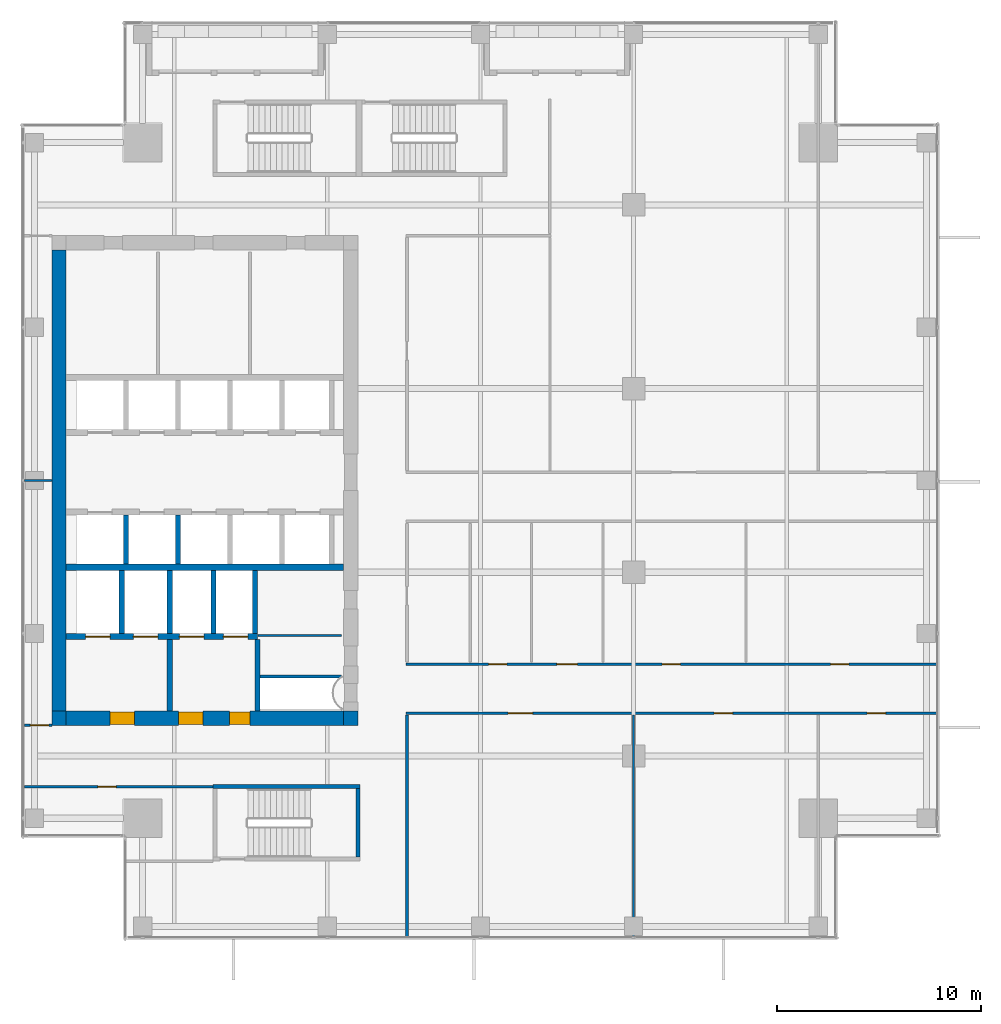
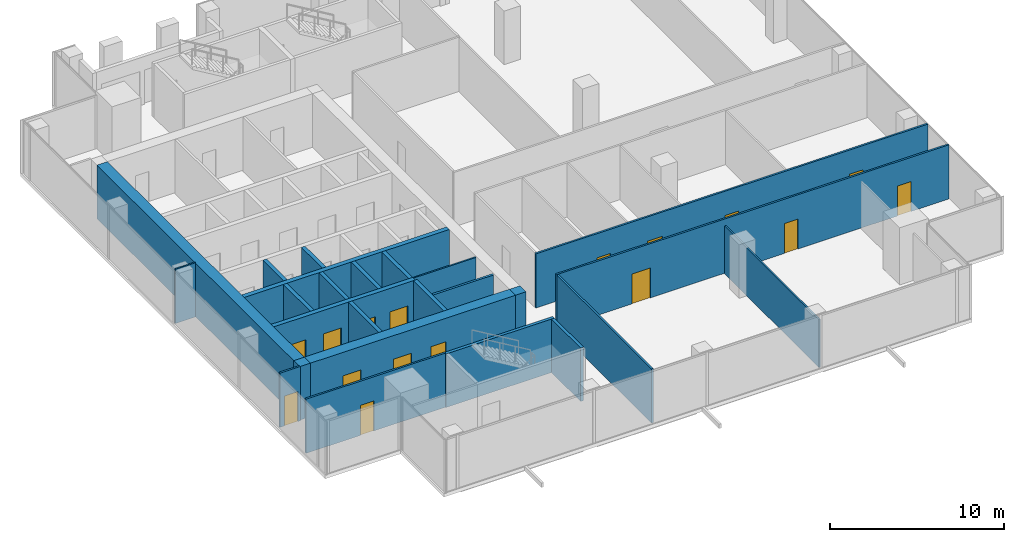
# One storey, part 30 of 34: 25 walls, 16 doors, 16 openings.
"""IFC4 building model written with IfcOpenShell, lengths in metres."""

from ifc_helpers import new_model, si_unit, direction, frame, frame_2d, origin, place, context, subcontext, project, spatial, rectangle, extrude, source, transform, mapped, material, layer, layer_set, type_object, element, fill, save


model = new_model("IFC4")

# Units and contexts
model_context = context("Model", 3, precision=1e-05, world=origin(), true_north=direction((0.0, 1.0)))
body_context = subcontext(model_context, "Body", "Model", "MODEL_VIEW")
ifc_project = project(units=[si_unit("LENGTHUNIT", "METRE"), si_unit("AREAUNIT", "SQUARE_METRE"), si_unit("VOLUMEUNIT", "CUBIC_METRE"), si_unit("PLANEANGLEUNIT", "RADIAN"), si_unit("MASSUNIT", "GRAM", prefix="KILO")], contexts=[model_context])

# Site, building, storey
site_placement = place(None, origin())
site = spatial("IfcSite", under=ifc_project, at=site_placement, CompositionType="ELEMENT")
building_placement = place(site_placement, origin())
building = spatial("IfcBuilding", under=site, at=building_placement, Name="Khomas Fold Tower", CompositionType="ELEMENT")
storey_placement = place(building_placement, frame((0.0, 0.0, 242.199951171875)))
storey = spatial("IfcBuildingStorey", under=building, at=storey_placement, Name="L54", CompositionType="ELEMENT", Elevation=242.199951171875)

# Walls
ifc_material_1 = material(Name="Concrete C50/60", Category="concrete")
ifc_layer_1 = layer(ifc_material_1, 0.199951171875)
ifc_layer_set_1 = layer_set([ifc_layer_1], Name="Concrete C50/60")
wall_type_1 = type_object("IfcWallType", Name="Stair wall 200", PredefinedType="SHEAR", material=ifc_layer_set_1)
shared_shape_1 = source(origin(), body_context, "Body", "SweptSolid", [
    extrude(rectangle(XDim=7.2001953125, YDim=0.199951171875, at=frame_2d((3.60009765625, 0.0))), origin(), (0.0, 0.0, 1.0), 3.75),
])
wall_1_placement = place(storey_placement, frame((13.89990234375, 12.0, 0.0), z_axis=(0.0, 0.0, 1.0), x_axis=(1.0, 0.0, 0.0)))
element("IfcWall", 1, at=wall_1_placement, inside=storey, type_object=wall_type_1, Name="Stair wall SW-ST2-NH", PredefinedType="SHEAR", context=body_context, shape_type="MappedRepresentation", body=[
    mapped(shared_shape_1, transform((0.0, 0.0, 0.0))),
])
shared_shape_2 = source(origin(), body_context, "Body", "SweptSolid", [
    extrude(rectangle(XDim=3.349853515625, YDim=0.199951171875, at=frame_2d((1.6748046875, 0.0))), origin(), (0.0, 0.0, 1.0), 3.75),
])
wall_2_placement = place(storey_placement, frame((21.0, 8.550048828125, 0.0), z_axis=(0.0, 0.0, 1.0), x_axis=(0.0, 1.0, 0.0)))
element("IfcWall", 2, at=wall_2_placement, inside=storey, type_object=wall_type_1, Name="Stair wall SW-ST2-E", PredefinedType="SHEAR", context=body_context, shape_type="MappedRepresentation", body=[
    mapped(shared_shape_2, transform((0.0, 0.0, 0.0))),
])
ifc_material_2 = material(Name="Concrete C50/60", Category="concrete")
ifc_layer_2 = layer(ifc_material_2, 0.25)
ifc_layer_set_2 = layer_set([ifc_layer_2], Name="Concrete C50/60")
wall_type_2 = type_object("IfcWallType", Name="Shaft wall 250", PredefinedType="STANDARD", material=ifc_layer_set_2)
shared_shape_3 = source(origin(), body_context, "Body", "SweptSolid", [
    extrude(rectangle(XDim=3.10009765625, YDim=0.25, at=frame_2d((1.550048828125, 0.0))), origin(), (0.0, 0.0, 1.0), 3.75),
])
for number, where, z_axis, x_axis, name in (
    (3, (9.425048828125, 19.5, 0.0), (0.0, 0.0, 1.0), (0.0, 1.0, 0.0), "Core wall SW-FS-P1"),
    (4, (11.77490234375, 19.5, 0.0), (0.0, 0.0, 1.0), (0.0, 1.0, 0.0), "Core wall SW-FS-P2"),
    (5, (13.925048828125, 19.5, 0.0), (0.0, 0.0, 1.0), (0.0, 1.0, 0.0), "Core wall SW-FS-P3"),
    (6, (15.949951171875, 19.5, 0.0), (0.0, 0.0, 1.0), (0.0, 1.0, 0.0), "Core wall SW-FS-PE"),
):
    element("IfcWall", number, at=place(storey_placement, frame(where, z_axis=z_axis, x_axis=x_axis)), inside=storey, type_object=wall_type_2, Name=name, PredefinedType="STANDARD", context=body_context, shape_type="MappedRepresentation", body=[
        mapped(shared_shape_3, transform((0.0, 0.0, 0.0))),
    ])
shared_shape_4 = source(origin(), body_context, "Body", "SweptSolid", [
    extrude(rectangle(XDim=2.400146484375, YDim=0.25, at=frame_2d((1.2001953125, 0.0))), origin(), (0.0, 0.0, 1.0), 3.75),
])
for number, where, z_axis, x_axis, name in (
    (7, (9.625, 22.89990234375, 0.0), (0.0, 0.0, 1.0), (0.0, 1.0, 0.0), "Core wall SW-HRS-P1"),
    (8, (12.175048828125, 22.89990234375, 0.0), (0.0, 0.0, 1.0), (0.0, 1.0, 0.0), "Core wall SW-HRS-P2"),
):
    element("IfcWall", number, at=place(storey_placement, frame(where, z_axis=z_axis, x_axis=x_axis)), inside=storey, type_object=wall_type_2, Name=name, PredefinedType="STANDARD", context=body_context, shape_type="MappedRepresentation", body=[
        mapped(shared_shape_4, transform((0.0, 0.0, 0.0))),
    ])

# Wall, openings, doors
ifc_material_3 = material(Name="Concrete C60/75", Category="concrete")
ifc_layer_3 = layer(ifc_material_3, 0.699951171875)
ifc_layer_set_3 = layer_set([ifc_layer_3], Name="Concrete C60/75")
wall_type_3 = type_object("IfcWallType", Name="Core wall 700", PredefinedType="SHEAR", material=ifc_layer_set_3)
shared_shape_5 = source(origin(), body_context, "Body", "SweptSolid", [
    extrude(rectangle(XDim=13.60009765625, YDim=0.699951171875, at=frame_2d((6.800048828125, 0.0))), origin(), (0.0, 0.0, 1.0), 3.75),
])
wall_3_placement = place(storey_placement, frame((6.699951171875, 15.35009765625, 0.0), z_axis=(0.0, 0.0, 1.0), x_axis=(1.0, 0.0, 0.0)))
wall_3 = element("IfcWall", 9, at=wall_3_placement, inside=storey, type_object=wall_type_3, Name="Core wall CW-U-S-L49", PredefinedType="SHEAR", context=body_context, shape_type="MappedRepresentation", body=[
    mapped(shared_shape_5, transform((0.0, 0.0, 0.0))),
])
shared_shape_6 = source(origin(), body_context, "Body", "SweptSolid", [
    extrude(rectangle(XDim=1.199951171875, YDim=2.10009765625, at=frame_2d((0.60009765625, 1.050048828125))), frame((0.0, 0.35986328125, 0.0), z_axis=(0.0, -1.0, 0.0), x_axis=(1.0, 0.0, 0.0)), (0.0, 0.0, 1.0), 0.719970703125),
])
opening_1_placement = place(wall_3_placement, frame((5.5, 0.0, 0.0)))
opening_1 = element("IfcOpeningElement", 10, at=opening_1_placement, cuts=wall_3, Name="Opening 0009", PredefinedType="OPENING", context=body_context, shape_type="MappedRepresentation", body=[
    mapped(shared_shape_6, transform((0.0, 0.0, 0.0))),
])
opening_2_placement = place(wall_3_placement, frame((2.14990234375, 0.0, 0.0)))
opening_2 = element("IfcOpeningElement", 11, at=opening_2_placement, cuts=wall_3, Name="Opening 0009", PredefinedType="OPENING", context=body_context, shape_type="MappedRepresentation", body=[
    mapped(shared_shape_6, transform((0.0, 0.0, 0.0))),
])
shared_shape_7 = source(origin(), body_context, "Body", "SweptSolid", [
    extrude(rectangle(XDim=1.0, YDim=2.10009765625, at=frame_2d((0.5, 1.050048828125))), frame((0.0, 0.35986328125, 0.0), z_axis=(0.0, -1.0, 0.0), x_axis=(1.0, 0.0, 0.0)), (0.0, 0.0, 1.0), 0.719970703125),
])
opening_3_placement = place(wall_3_placement, frame((8.0, 0.0, 0.0)))
opening_3 = element("IfcOpeningElement", 12, at=opening_3_placement, cuts=wall_3, Name="Opening 0010", PredefinedType="OPENING", context=body_context, shape_type="MappedRepresentation", body=[
    mapped(shared_shape_7, transform((0.0, 0.0, 0.0))),
])
ifc_material_4 = material(Name="Steel door leaf", Category="steel")
door_type_1 = type_object("IfcDoorType", Name="Lobby door 1200x2100 right-hand", OperationType="SINGLE_SWING_RIGHT", PredefinedType="DOOR", material=ifc_material_4)
shared_shape_8 = source(origin(), body_context, "Body", "SweptSolid", [
    extrude(rectangle(XDim=1.199951171875, YDim=2.10009765625, at=frame_2d((0.60009765625, 1.050048828125))), frame((0.0, 0.2998046875, 0.0), z_axis=(0.0, -1.0, 0.0), x_axis=(1.0, 0.0, 0.0)), (0.0, 0.0, 1.0), 0.599853515625),
])
door_1_placement = place(opening_1_placement, origin())
door_1 = element("IfcDoor", 13, at=door_1_placement, inside=storey, type_object=door_type_1, Name="Lobby door", OperationType="SINGLE_SWING_RIGHT", OverallHeight=2.10009765625, OverallWidth=1.199951171875, PredefinedType="DOOR", context=body_context, shape_type="MappedRepresentation", body=[
    mapped(shared_shape_8, transform((0.0, 0.0, 0.0))),
])
fill(opening_1, door_1)
door_2_placement = place(opening_2_placement, origin())
door_2 = element("IfcDoor", 14, at=door_2_placement, inside=storey, type_object=door_type_1, Name="Lobby door", OperationType="SINGLE_SWING_RIGHT", OverallHeight=2.10009765625, OverallWidth=1.199951171875, PredefinedType="DOOR", context=body_context, shape_type="MappedRepresentation", body=[
    mapped(shared_shape_8, transform((0.0, 0.0, 0.0))),
])
fill(opening_2, door_2)
ifc_material_5 = material(Name="Steel door leaf", Category="steel")
door_type_2 = type_object("IfcDoorType", Name="Stair door 1000x2100 right-hand", OperationType="SINGLE_SWING_RIGHT", PredefinedType="DOOR", material=ifc_material_5)
shared_shape_9 = source(origin(), body_context, "Body", "SweptSolid", [
    extrude(rectangle(XDim=1.0, YDim=2.10009765625, at=frame_2d((0.5, 1.050048828125))), frame((0.0, 0.2998046875, 0.0), z_axis=(0.0, -1.0, 0.0), x_axis=(1.0, 0.0, 0.0)), (0.0, 0.0, 1.0), 0.599853515625),
])
door_3_placement = place(opening_3_placement, origin())
door_3 = element("IfcDoor", 15, at=door_3_placement, inside=storey, type_object=door_type_2, Name="Stair door", OperationType="SINGLE_SWING_RIGHT", OverallHeight=2.10009765625, OverallWidth=1.0, PredefinedType="DOOR", context=body_context, shape_type="MappedRepresentation", body=[
    mapped(shared_shape_9, transform((0.0, 0.0, 0.0))),
])
fill(opening_3, door_3)

# Walls
ifc_material_6 = material(Name="Concrete C60/75", Category="concrete")
ifc_layer_4 = layer(ifc_material_6, 0.699951171875)
ifc_layer_set_4 = layer_set([ifc_layer_4], Name="Concrete C60/75")
wall_type_4 = type_object("IfcWallType", Name="Core corner wall 700", PredefinedType="SHEAR", material=ifc_layer_set_4)
shared_shape_10 = source(origin(), body_context, "Body", "SweptSolid", [
    extrude(rectangle(XDim=0.699951171875, YDim=0.699951171875, at=frame_2d((0.35009765625, 0.0))), origin(), (0.0, 0.0, 1.0), 3.75),
])
for number, where, z_axis, x_axis, name in (
    (16, (20.300048828125, 15.35009765625, 0.0), (0.0, 0.0, 1.0), (1.0, 0.0, 0.0), "Core wall CW-U-SE-L49"),
    (17, (6.0, 15.35009765625, 0.0), (0.0, 0.0, 1.0), (1.0, 0.0, 0.0), "Core wall CW-U-SW-L49"),
):
    element("IfcWall", number, at=place(storey_placement, frame(where, z_axis=z_axis, x_axis=x_axis)), inside=storey, type_object=wall_type_4, Name=name, PredefinedType="SHEAR", context=body_context, shape_type="MappedRepresentation", body=[
        mapped(shared_shape_10, transform((0.0, 0.0, 0.0))),
    ])
shared_shape_11 = source(origin(), body_context, "Body", "SweptSolid", [
    extrude(rectangle(XDim=22.60009765625, YDim=0.699951171875, at=frame_2d((11.300048828125, 0.0))), origin(), (0.0, 0.0, 1.0), 3.75),
])
wall_4_placement = place(storey_placement, frame((6.35009765625, 15.699951171875, 0.0), z_axis=(0.0, 0.0, 1.0), x_axis=(0.0, 1.0, 0.0)))
element("IfcWall", 18, at=wall_4_placement, inside=storey, type_object=wall_type_3, Name="Core wall CW-U-W-L49", PredefinedType="SHEAR", context=body_context, shape_type="MappedRepresentation", body=[
    mapped(shared_shape_11, transform((0.0, 0.0, 0.0))),
])
ifc_material_7 = material(Name="Concrete C50/60", Category="concrete")
ifc_layer_5 = layer(ifc_material_7, 0.300048828125)
ifc_layer_set_5 = layer_set([ifc_layer_5], Name="Concrete C50/60")
wall_type_5 = type_object("IfcWallType", Name="Shaft wall 300", PredefinedType="STANDARD", material=ifc_layer_set_5)
shared_shape_12 = source(origin(), body_context, "Body", "SweptSolid", [
    extrude(rectangle(XDim=13.60009765625, YDim=0.300048828125, at=frame_2d((6.800048828125, 0.0))), origin(), (0.0, 0.0, 1.0), 3.75),
])
wall_5_placement = place(storey_placement, frame((6.699951171875, 22.75, 0.0), z_axis=(0.0, 0.0, 1.0), x_axis=(1.0, 0.0, 0.0)))
element("IfcWall", 19, at=wall_5_placement, inside=storey, type_object=wall_type_5, Name="Core wall SW-FS-B", PredefinedType="STANDARD", context=body_context, shape_type="MappedRepresentation", body=[
    mapped(shared_shape_12, transform((0.0, 0.0, 0.0))),
])

# Wall, openings, doors
shared_shape_13 = source(origin(), body_context, "Body", "SweptSolid", [
    extrude(rectangle(XDim=9.375, YDim=0.300048828125, at=frame_2d((4.6875, 0.0))), origin(), (0.0, 0.0, 1.0), 3.75),
])
wall_6_placement = place(storey_placement, frame((6.699951171875, 19.35009765625, 0.0), z_axis=(0.0, 0.0, 1.0), x_axis=(1.0, 0.0, 0.0)))
wall_6 = element("IfcWall", 20, at=wall_6_placement, inside=storey, type_object=wall_type_5, Name="Core wall SW-FS-F", PredefinedType="STANDARD", context=body_context, shape_type="MappedRepresentation", body=[
    mapped(shared_shape_13, transform((0.0, 0.0, 0.0))),
])
shared_shape_14 = source(origin(), body_context, "Body", "SweptSolid", [
    extrude(rectangle(XDim=1.199951171875, YDim=2.10009765625, at=frame_2d((0.60009765625, 1.050048828125))), frame((0.0, 0.159912109375, 0.0), z_axis=(0.0, -1.0, 0.0), x_axis=(1.0, 0.0, 0.0)), (0.0, 0.0, 1.0), 0.320068359375),
])
opening_4_placement = place(wall_6_placement, frame((0.949951171875, 0.0, 0.0)))
opening_4 = element("IfcOpeningElement", 21, at=opening_4_placement, cuts=wall_6, Name="Opening LD-SV1", PredefinedType="OPENING", context=body_context, shape_type="MappedRepresentation", body=[
    mapped(shared_shape_14, transform((0.0, 0.0, 0.0))),
])
opening_5_placement = place(wall_6_placement, frame((3.300048828125, 0.0, 0.0)))
opening_5 = element("IfcOpeningElement", 22, at=opening_5_placement, cuts=wall_6, Name="Opening LD-SV2", PredefinedType="OPENING", context=body_context, shape_type="MappedRepresentation", body=[
    mapped(shared_shape_14, transform((0.0, 0.0, 0.0))),
])
opening_6_placement = place(wall_6_placement, frame((5.550048828125, 0.0, 0.0)))
opening_6 = element("IfcOpeningElement", 23, at=opening_6_placement, cuts=wall_6, Name="Opening LD-FF1", PredefinedType="OPENING", context=body_context, shape_type="MappedRepresentation", body=[
    mapped(shared_shape_14, transform((0.0, 0.0, 0.0))),
])
opening_7_placement = place(wall_6_placement, frame((7.699951171875, 0.0, 0.0)))
opening_7 = element("IfcOpeningElement", 24, at=opening_7_placement, cuts=wall_6, Name="Opening LD-FF2", PredefinedType="OPENING", context=body_context, shape_type="MappedRepresentation", body=[
    mapped(shared_shape_14, transform((0.0, 0.0, 0.0))),
])
ifc_material_8 = material(Name="Steel door leaf", Category="steel")
door_type_3 = type_object("IfcDoorType", Name="Landing door 1200x2100", OperationType="DOUBLE_DOOR_SLIDING", PredefinedType="DOOR", material=ifc_material_8)
shared_shape_15 = source(origin(), body_context, "Body", "SweptSolid", [
    extrude(rectangle(XDim=1.199951171875, YDim=2.10009765625, at=frame_2d((0.60009765625, 1.050048828125))), frame((0.0, 0.02490234375, 0.0), z_axis=(0.0, -1.0, 0.0), x_axis=(1.0, 0.0, 0.0)), (0.0, 0.0, 1.0), 0.050048828125),
])
door_4_placement = place(opening_4_placement, origin())
door_4 = element("IfcDoor", 25, at=door_4_placement, inside=storey, type_object=door_type_3, Name="Lift landing door", OperationType="DOUBLE_DOOR_SLIDING", OverallHeight=2.10009765625, OverallWidth=1.199951171875, PredefinedType="DOOR", context=body_context, shape_type="MappedRepresentation", body=[
    mapped(shared_shape_15, transform((0.0, 0.0, 0.0))),
])
fill(opening_4, door_4)
door_5_placement = place(opening_5_placement, origin())
door_5 = element("IfcDoor", 26, at=door_5_placement, inside=storey, type_object=door_type_3, Name="Lift landing door", OperationType="DOUBLE_DOOR_SLIDING", OverallHeight=2.10009765625, OverallWidth=1.199951171875, PredefinedType="DOOR", context=body_context, shape_type="MappedRepresentation", body=[
    mapped(shared_shape_15, transform((0.0, 0.0, 0.0))),
])
fill(opening_5, door_5)
door_6_placement = place(opening_6_placement, origin())
door_6 = element("IfcDoor", 27, at=door_6_placement, inside=storey, type_object=door_type_3, Name="Lift landing door", OperationType="DOUBLE_DOOR_SLIDING", OverallHeight=2.10009765625, OverallWidth=1.199951171875, PredefinedType="DOOR", context=body_context, shape_type="MappedRepresentation", body=[
    mapped(shared_shape_15, transform((0.0, 0.0, 0.0))),
])
fill(opening_6, door_6)
door_7_placement = place(opening_7_placement, origin())
door_7 = element("IfcDoor", 28, at=door_7_placement, inside=storey, type_object=door_type_3, Name="Lift landing door", OperationType="DOUBLE_DOOR_SLIDING", OverallHeight=2.10009765625, OverallWidth=1.199951171875, PredefinedType="DOOR", context=body_context, shape_type="MappedRepresentation", body=[
    mapped(shared_shape_15, transform((0.0, 0.0, 0.0))),
])
fill(opening_7, door_7)

# Walls
ifc_material_9 = material(Name="Concrete C50/60", Category="concrete")
ifc_layer_6 = layer(ifc_material_9, 0.25)
ifc_layer_set_6 = layer_set([ifc_layer_6], Name="Concrete C50/60")
wall_type_6 = type_object("IfcWallType", Name="Lobby wall 250", PredefinedType="STANDARD", material=ifc_layer_set_6)
shared_shape_16 = source(origin(), body_context, "Body", "SweptSolid", [
    extrude(rectangle(XDim=3.5, YDim=0.25, at=frame_2d((1.75, 0.0))), origin(), (0.0, 0.0, 1.0), 3.75),
])
for number, where, z_axis, x_axis, name in (
    (29, (16.074951171875, 15.699951171875, 0.0), (0.0, 0.0, 1.0), (0.0, 1.0, 0.0), "Core wall SW-FS-LOB-E"),
    (30, (11.77490234375, 15.699951171875, 0.0), (0.0, 0.0, 1.0), (0.0, 1.0, 0.0), "Core wall SW-FS-SEP"),
):
    element("IfcWall", number, at=place(storey_placement, frame(where, z_axis=z_axis, x_axis=x_axis)), inside=storey, type_object=wall_type_6, Name=name, PredefinedType="STANDARD", context=body_context, shape_type="MappedRepresentation", body=[
        mapped(shared_shape_16, transform((0.0, 0.0, 0.0))),
    ])
ifc_material_10 = material(Name="Plasterboard fire partition")
ifc_layer_7 = layer(ifc_material_10, 0.14990234375)
ifc_layer_set_7 = layer_set([ifc_layer_7], Name="Plasterboard fire partition")
wall_type_7 = type_object("IfcWallType", Name="Plant room wall PW3 150", PredefinedType="PARTITIONING", material=ifc_layer_set_7)
shared_shape_17 = source(origin(), body_context, "Body", "SweptSolid", [
    extrude(rectangle(XDim=4.0, YDim=0.14990234375, at=frame_2d((2.0, 0.0))), origin(), (0.0, 0.0, 1.0), 3.800048828125),
])
wall_7_placement = place(storey_placement, frame((16.199951171875, 17.39990234375, 0.0), z_axis=(0.0, 0.0, 1.0), x_axis=(1.0, 0.0, 0.0)))
element("IfcWall", 31, at=wall_7_placement, inside=storey, type_object=wall_type_7, Name="Plant room wall", PredefinedType="PARTITIONING", context=body_context, shape_type="MappedRepresentation", body=[
    mapped(shared_shape_17, transform((0.0, 0.0, 0.0))),
])
ifc_material_11 = material(Name="Plasterboard partition")
ifc_layer_8 = layer(ifc_material_11, 0.10009765625)
ifc_layer_set_8 = layer_set([ifc_layer_8], Name="Plasterboard partition")
wall_type_8 = type_object("IfcWallType", Name="Partition PW1 100", PredefinedType="PARTITIONING", material=ifc_layer_set_8)
shared_shape_18 = source(origin(), body_context, "Body", "SweptSolid", [
    extrude(rectangle(XDim=4.099853515625, YDim=0.10009765625, at=frame_2d((2.0498046875, 0.0))), origin(), (0.0, 0.0, 1.0), 3.800048828125),
])
wall_8_placement = place(storey_placement, frame((16.10009765625, 19.39990234375, 0.0), z_axis=(0.0, 0.0, 1.0), x_axis=(1.0, 0.0, 0.0)))
element("IfcWall", 32, at=wall_8_placement, inside=storey, type_object=wall_type_8, Name="Partition", PredefinedType="PARTITIONING", context=body_context, shape_type="MappedRepresentation", body=[
    mapped(shared_shape_18, transform((0.0, 0.0, 0.0))),
])

# Wall, opening, door
ifc_material_12 = material(Name="Plasterboard partition")
ifc_layer_9 = layer(ifc_material_12, 0.125)
ifc_layer_set_9 = layer_set([ifc_layer_9], Name="Plasterboard partition")
wall_type_9 = type_object("IfcWallType", Name="Partition PW2 125", PredefinedType="PARTITIONING", material=ifc_layer_set_9)
shared_shape_19 = source(origin(), body_context, "Body", "SweptSolid", [
    extrude(rectangle(XDim=9.25, YDim=0.125, at=frame_2d((4.625, 0.0))), origin(), (0.0, 0.0, 1.0), 3.800048828125),
])
wall_9_placement = place(storey_placement, frame((4.64990234375, 12.0, 0.0), z_axis=(0.0, 0.0, 1.0), x_axis=(1.0, 0.0, 0.0)))
wall_9 = element("IfcWall", 33, at=wall_9_placement, inside=storey, type_object=wall_type_9, Name="Partition", PredefinedType="PARTITIONING", context=body_context, shape_type="MappedRepresentation", body=[
    mapped(shared_shape_19, transform((0.0, 0.0, 0.0))),
])
shared_shape_20 = source(origin(), body_context, "Body", "SweptSolid", [
    extrude(rectangle(XDim=0.89990234375, YDim=2.10009765625, at=frame_2d((0.449951171875, 1.050048828125))), frame((0.0, 0.072509765625, 0.0), z_axis=(0.0, -1.0, 0.0), x_axis=(1.0, 0.0, 0.0)), (0.0, 0.0, 1.0), 0.14501953125),
])
opening_8_placement = place(wall_9_placement, frame((3.60009765625, 0.0, 0.0)))
opening_8 = element("IfcOpeningElement", 34, at=opening_8_placement, cuts=wall_9, Name="Opening 0007", PredefinedType="OPENING", context=body_context, shape_type="MappedRepresentation", body=[
    mapped(shared_shape_20, transform((0.0, 0.0, 0.0))),
])
ifc_material_13 = material(Name="Timber door leaf", Category="wood")
door_type_4 = type_object("IfcDoorType", Name="Door 900x2100 left-hand", OperationType="SINGLE_SWING_LEFT", PredefinedType="DOOR", material=ifc_material_13)
shared_shape_21 = source(origin(), body_context, "Body", "SweptSolid", [
    extrude(rectangle(XDim=0.89990234375, YDim=2.10009765625, at=frame_2d((0.449951171875, 1.050048828125))), frame((0.0, 0.02490234375, 0.0), z_axis=(0.0, -1.0, 0.0), x_axis=(1.0, 0.0, 0.0)), (0.0, 0.0, 1.0), 0.050048828125),
])
door_8_placement = place(opening_8_placement, origin())
door_8 = element("IfcDoor", 35, at=door_8_placement, inside=storey, type_object=door_type_4, Name="Door", OperationType="SINGLE_SWING_LEFT", OverallHeight=2.10009765625, OverallWidth=0.89990234375, PredefinedType="DOOR", context=body_context, shape_type="MappedRepresentation", body=[
    mapped(shared_shape_21, transform((0.0, 0.0, 0.0))),
])
fill(opening_8, door_8)

# Walls
shared_shape_22 = source(origin(), body_context, "Body", "SweptSolid", [
    extrude(rectangle(XDim=10.85009765625, YDim=0.125, at=frame_2d((5.425048828125, 0.0))), origin(), (0.0, 0.0, 1.0), 3.800048828125),
])
wall_10_placement = place(storey_placement, frame((23.39990234375, 4.64990234375, 0.0), z_axis=(0.0, 0.0, 1.0), x_axis=(0.0, 1.0, 0.0)))
element("IfcWall", 36, at=wall_10_placement, inside=storey, type_object=wall_type_9, Name="Partition", PredefinedType="PARTITIONING", context=body_context, shape_type="MappedRepresentation", body=[
    mapped(shared_shape_22, transform((0.0, 0.0, 0.0))),
])
shared_shape_23 = source(origin(), body_context, "Body", "SweptSolid", [
    extrude(rectangle(XDim=10.85009765625, YDim=0.10009765625, at=frame_2d((5.425048828125, 0.0))), origin(), (0.0, 0.0, 1.0), 3.35009765625),
])
wall_11_placement = place(storey_placement, frame((34.5, 4.64990234375, 0.0), z_axis=(0.0, 0.0, 1.0), x_axis=(0.0, 1.0, 0.0)))
element("IfcWall", 37, at=wall_11_placement, inside=storey, type_object=wall_type_8, Name="Partition", PredefinedType="PARTITIONING", context=body_context, shape_type="MappedRepresentation", body=[
    mapped(shared_shape_23, transform((0.0, 0.0, 0.0))),
])

# Wall, opening, door
shared_shape_24 = source(origin(), body_context, "Body", "SweptSolid", [
    extrude(rectangle(XDim=1.35009765625, YDim=0.125, at=frame_2d((0.675048828125, 0.0))), origin(), (0.0, 0.0, 1.0), 3.800048828125),
])
wall_12_placement = place(storey_placement, frame((4.64990234375, 15.0, 0.0), z_axis=(0.0, 0.0, 1.0), x_axis=(1.0, 0.0, 0.0)))
wall_12 = element("IfcWall", 38, at=wall_12_placement, inside=storey, type_object=wall_type_9, Name="Partition", PredefinedType="PARTITIONING", context=body_context, shape_type="MappedRepresentation", body=[
    mapped(shared_shape_24, transform((0.0, 0.0, 0.0))),
])
opening_9_placement = place(wall_12_placement, frame((0.300048828125, 0.0, 0.0)))
opening_9 = element("IfcOpeningElement", 39, at=opening_9_placement, cuts=wall_12, Name="Opening 0007", PredefinedType="OPENING", context=body_context, shape_type="MappedRepresentation", body=[
    mapped(shared_shape_20, transform((0.0, 0.0, 0.0))),
])
door_9_placement = place(opening_9_placement, origin())
door_9 = element("IfcDoor", 40, at=door_9_placement, inside=storey, type_object=door_type_4, Name="Door", OperationType="SINGLE_SWING_LEFT", OverallHeight=2.10009765625, OverallWidth=0.89990234375, PredefinedType="DOOR", context=body_context, shape_type="MappedRepresentation", body=[
    mapped(shared_shape_21, transform((0.0, 0.0, 0.0))),
])
fill(opening_9, door_9)

# Wall, openings, doors
shared_shape_25 = source(origin(), body_context, "Body", "SweptSolid", [
    extrude(rectangle(XDim=26.0, YDim=0.125, at=frame_2d((13.0, 0.0))), origin(), (0.0, 0.0, 1.0), 3.800048828125),
])
wall_13_placement = place(storey_placement, frame((23.35009765625, 15.60009765625, 0.0), z_axis=(0.0, 0.0, 1.0), x_axis=(1.0, 0.0, 0.0)))
wall_13 = element("IfcWall", 41, at=wall_13_placement, inside=storey, type_object=wall_type_9, Name="Partition", PredefinedType="PARTITIONING", context=body_context, shape_type="MappedRepresentation", body=[
    mapped(shared_shape_25, transform((0.0, 0.0, 0.0))),
])
shared_shape_26 = source(origin(), body_context, "Body", "SweptSolid", [
    extrude(rectangle(XDim=1.199951171875, YDim=2.10009765625, at=frame_2d((0.60009765625, 1.050048828125))), frame((0.0, 0.072509765625, 0.0), z_axis=(0.0, -1.0, 0.0), x_axis=(1.0, 0.0, 0.0)), (0.0, 0.0, 1.0), 0.14501953125),
])
opening_10_placement = place(wall_13_placement, frame((5.0, 0.0, 0.0)))
opening_10 = element("IfcOpeningElement", 42, at=opening_10_placement, cuts=wall_13, Name="Opening 0001", PredefinedType="OPENING", context=body_context, shape_type="MappedRepresentation", body=[
    mapped(shared_shape_26, transform((0.0, 0.0, 0.0))),
])
opening_11_placement = place(wall_13_placement, frame((15.10009765625, 0.0, 0.0)))
opening_11 = element("IfcOpeningElement", 43, at=opening_11_placement, cuts=wall_13, Name="Opening 0007", PredefinedType="OPENING", context=body_context, shape_type="MappedRepresentation", body=[
    mapped(shared_shape_20, transform((0.0, 0.0, 0.0))),
])
opening_12_placement = place(wall_13_placement, frame((22.60009765625, 0.0, 0.0)))
opening_12 = element("IfcOpeningElement", 44, at=opening_12_placement, cuts=wall_13, Name="Opening 0007", PredefinedType="OPENING", context=body_context, shape_type="MappedRepresentation", body=[
    mapped(shared_shape_20, transform((0.0, 0.0, 0.0))),
])
door_10_placement = place(opening_11_placement, origin())
door_10 = element("IfcDoor", 45, at=door_10_placement, inside=storey, type_object=door_type_4, Name="Door", OperationType="SINGLE_SWING_LEFT", OverallHeight=2.10009765625, OverallWidth=0.89990234375, PredefinedType="DOOR", context=body_context, shape_type="MappedRepresentation", body=[
    mapped(shared_shape_21, transform((0.0, 0.0, 0.0))),
])
fill(opening_11, door_10)
door_11_placement = place(opening_12_placement, origin())
door_11 = element("IfcDoor", 46, at=door_11_placement, inside=storey, type_object=door_type_4, Name="Door", OperationType="SINGLE_SWING_LEFT", OverallHeight=2.10009765625, OverallWidth=0.89990234375, PredefinedType="DOOR", context=body_context, shape_type="MappedRepresentation", body=[
    mapped(shared_shape_21, transform((0.0, 0.0, 0.0))),
])
fill(opening_12, door_11)
ifc_material_14 = material(Name="Timber door leaf", Category="wood")
door_type_5 = type_object("IfcDoorType", Name="Door 1200x2100 right-hand", OperationType="SINGLE_SWING_RIGHT", PredefinedType="DOOR", material=ifc_material_14)
door_12_placement = place(opening_10_placement, origin())
door_12 = element("IfcDoor", 47, at=door_12_placement, inside=storey, type_object=door_type_5, Name="Door", OperationType="SINGLE_SWING_RIGHT", OverallHeight=2.10009765625, OverallWidth=1.199951171875, PredefinedType="DOOR", context=body_context, shape_type="MappedRepresentation", body=[
    mapped(shared_shape_15, transform((0.0, 0.0, 0.0))),
])
fill(opening_10, door_12)

wall_14_placement = place(storey_placement, frame((23.35009765625, 18.0, 0.0), z_axis=(0.0, 0.0, 1.0), x_axis=(1.0, 0.0, 0.0)))
wall_14 = element("IfcWall", 48, at=wall_14_placement, inside=storey, type_object=wall_type_9, Name="Partition", PredefinedType="PARTITIONING", context=body_context, shape_type="MappedRepresentation", body=[
    mapped(shared_shape_25, transform((0.0, 0.0, 0.0))),
])
opening_13_placement = place(wall_14_placement, frame((4.050048828125, 0.0, 0.0)))
opening_13 = element("IfcOpeningElement", 49, at=opening_13_placement, cuts=wall_14, Name="Opening 0004", PredefinedType="OPENING", context=body_context, shape_type="MappedRepresentation", body=[
    mapped(shared_shape_20, transform((0.0, 0.0, 0.0))),
])
shared_shape_27 = source(origin(), body_context, "Body", "SweptSolid", [
    extrude(rectangle(XDim=1.0, YDim=2.10009765625, at=frame_2d((0.5, 1.050048828125))), frame((0.0, 0.072509765625, 0.0), z_axis=(0.0, -1.0, 0.0), x_axis=(1.0, 0.0, 0.0)), (0.0, 0.0, 1.0), 0.14501953125),
])
opening_14_placement = place(wall_14_placement, frame((7.39990234375, 0.0, 0.0)))
opening_14 = element("IfcOpeningElement", 50, at=opening_14_placement, cuts=wall_14, Name="Opening 0006", PredefinedType="OPENING", context=body_context, shape_type="MappedRepresentation", body=[
    mapped(shared_shape_27, transform((0.0, 0.0, 0.0))),
])
opening_15_placement = place(wall_14_placement, frame((12.550048828125, 0.0, 0.0)))
opening_15 = element("IfcOpeningElement", 51, at=opening_15_placement, cuts=wall_14, Name="Opening 0008", PredefinedType="OPENING", context=body_context, shape_type="MappedRepresentation", body=[
    mapped(shared_shape_20, transform((0.0, 0.0, 0.0))),
])
opening_16_placement = place(wall_14_placement, frame((20.800048828125, 0.0, 0.0)))
opening_16 = element("IfcOpeningElement", 52, at=opening_16_placement, cuts=wall_14, Name="Opening 0008", PredefinedType="OPENING", context=body_context, shape_type="MappedRepresentation", body=[
    mapped(shared_shape_20, transform((0.0, 0.0, 0.0))),
])
ifc_material_15 = material(Name="Timber door leaf", Category="wood")
door_type_6 = type_object("IfcDoorType", Name="WC door 900x2100 right-hand", OperationType="SINGLE_SWING_RIGHT", PredefinedType="DOOR", material=ifc_material_15)
door_13_placement = place(opening_13_placement, origin())
door_13 = element("IfcDoor", 53, at=door_13_placement, inside=storey, type_object=door_type_6, Name="WC door", OperationType="SINGLE_SWING_RIGHT", OverallHeight=2.10009765625, OverallWidth=0.89990234375, PredefinedType="DOOR", context=body_context, shape_type="MappedRepresentation", body=[
    mapped(shared_shape_21, transform((0.0, 0.0, 0.0))),
])
fill(opening_13, door_13)
ifc_material_16 = material(Name="Timber door leaf", Category="wood")
door_type_7 = type_object("IfcDoorType", Name="Door 900x2100 right-hand", OperationType="SINGLE_SWING_RIGHT", PredefinedType="DOOR", material=ifc_material_16)
door_14_placement = place(opening_15_placement, origin())
door_14 = element("IfcDoor", 54, at=door_14_placement, inside=storey, type_object=door_type_7, Name="Door", OperationType="SINGLE_SWING_RIGHT", OverallHeight=2.10009765625, OverallWidth=0.89990234375, PredefinedType="DOOR", context=body_context, shape_type="MappedRepresentation", body=[
    mapped(shared_shape_21, transform((0.0, 0.0, 0.0))),
])
fill(opening_15, door_14)
door_15_placement = place(opening_16_placement, origin())
door_15 = element("IfcDoor", 55, at=door_15_placement, inside=storey, type_object=door_type_7, Name="Door", OperationType="SINGLE_SWING_RIGHT", OverallHeight=2.10009765625, OverallWidth=0.89990234375, PredefinedType="DOOR", context=body_context, shape_type="MappedRepresentation", body=[
    mapped(shared_shape_21, transform((0.0, 0.0, 0.0))),
])
fill(opening_16, door_15)
ifc_material_17 = material(Name="Timber door leaf", Category="wood")
door_type_8 = type_object("IfcDoorType", Name="WC door 1000x2100 right-hand", OperationType="SINGLE_SWING_RIGHT", PredefinedType="DOOR", material=ifc_material_17)
shared_shape_28 = source(origin(), body_context, "Body", "SweptSolid", [
    extrude(rectangle(XDim=1.0, YDim=2.10009765625, at=frame_2d((0.5, 1.050048828125))), frame((0.0, 0.02490234375, 0.0), z_axis=(0.0, -1.0, 0.0), x_axis=(1.0, 0.0, 0.0)), (0.0, 0.0, 1.0), 0.050048828125),
])
door_16_placement = place(opening_14_placement, origin())
door_16 = element("IfcDoor", 56, at=door_16_placement, inside=storey, type_object=door_type_8, Name="WC door", OperationType="SINGLE_SWING_RIGHT", OverallHeight=2.10009765625, OverallWidth=1.0, PredefinedType="DOOR", context=body_context, shape_type="MappedRepresentation", body=[
    mapped(shared_shape_28, transform((0.0, 0.0, 0.0))),
])
fill(opening_14, door_16)

# Wall
shared_shape_29 = source(origin(), body_context, "Body", "SweptSolid", [
    extrude(rectangle(XDim=1.35009765625, YDim=0.10009765625, at=frame_2d((0.675048828125, 0.0))), origin(), (0.0, 0.0, 1.0), 3.800048828125),
])
wall_15_placement = place(storey_placement, frame((4.64990234375, 27.0, 0.0), z_axis=(0.0, 0.0, 1.0), x_axis=(1.0, 0.0, 0.0)))
element("IfcWall", 57, at=wall_15_placement, inside=storey, type_object=wall_type_8, Name="Partition", PredefinedType="PARTITIONING", context=body_context, shape_type="MappedRepresentation", body=[
    mapped(shared_shape_29, transform((0.0, 0.0, 0.0))),
])

save(model, "model.ifc")
